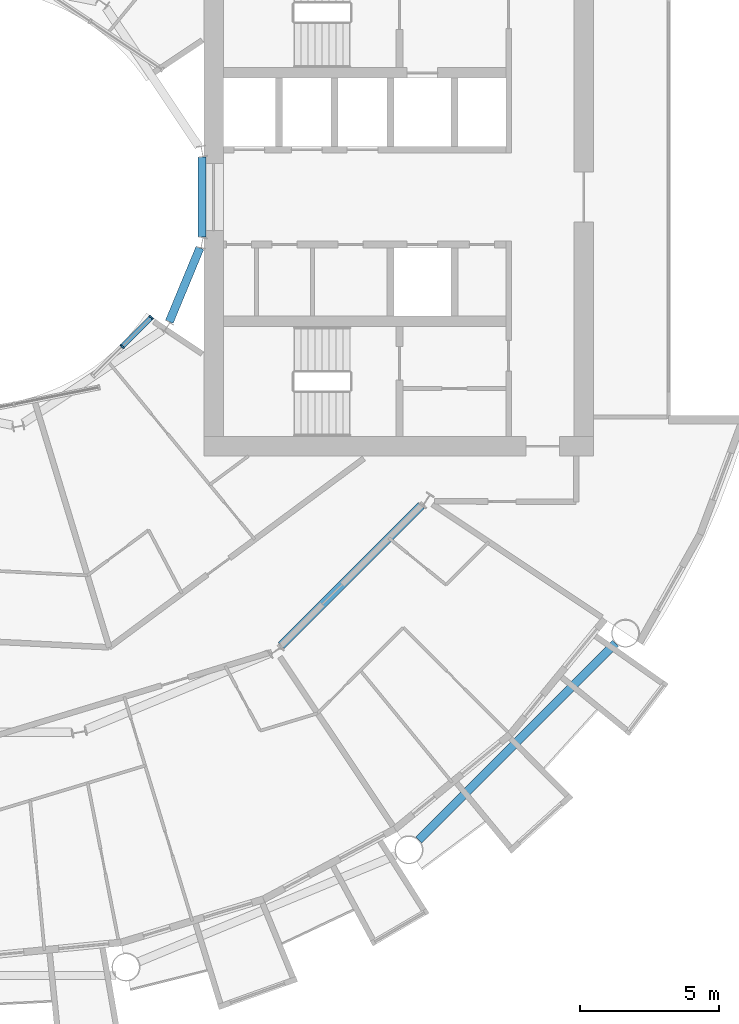
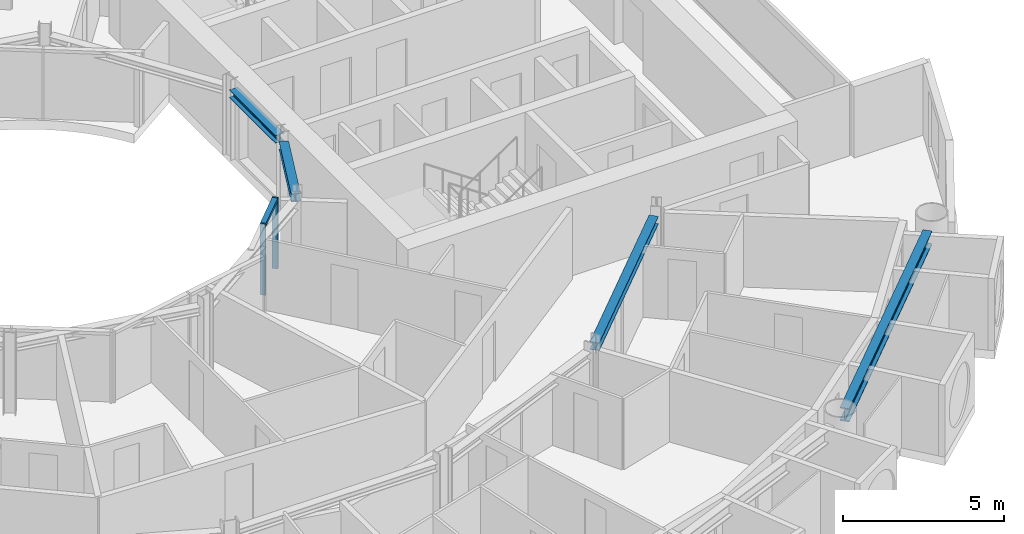
# One storey, part 6 of 26: 4 beams, 3 members, 1 element without a shape of its own.
"""IFC4 building model written with IfcOpenShell, lengths in metres."""

from ifc_helpers import new_model, si_unit, direction, frame, origin, origin_2d, place, context, subcontext, project, spatial, rectangle, i_section, extrude, material, layer, layer_set, material_profile, profile_set, type_object, element, aggregate, save


model = new_model("IFC4")

# Units and contexts
model_context = context("Model", 3, precision=1e-05, world=origin(), true_north=direction((0.0, 1.0)))
body_context = subcontext(model_context, "Body", "Model", "MODEL_VIEW")
ifc_project = project(units=[si_unit("LENGTHUNIT", "METRE"), si_unit("AREAUNIT", "SQUARE_METRE"), si_unit("VOLUMEUNIT", "CUBIC_METRE"), si_unit("PLANEANGLEUNIT", "RADIAN"), si_unit("MASSUNIT", "GRAM", prefix="KILO")], contexts=[model_context])

# Site, building, storey
site_placement = place(None, origin())
site = spatial("IfcSite", under=ifc_project, at=site_placement, CompositionType="ELEMENT")
building_placement = place(site_placement, origin())
building = spatial("IfcBuilding", under=site, at=building_placement, Name="Maasbend Ring Residences", CompositionType="ELEMENT")
storey_placement = place(building_placement, frame((0.0, 0.0, 69.699951171875)))
storey = spatial("IfcBuildingStorey", under=building, at=storey_placement, Name="L19", CompositionType="ELEMENT", Elevation=69.699951171875)

# Curtain wall, members
ifc_material_1 = material(Name="Aluminium and clear glass", Category="aluminium")
ifc_layer = layer(ifc_material_1, 0.179931640625)
ifc_layer_set = layer_set([ifc_layer], Name="CW-W")
curtain_wall_type = type_object("IfcCurtainWallType", Name="CW-W", PredefinedType="NOTDEFINED", material=ifc_layer_set)
curtain_wall_placement = place(storey_placement, origin())
curtain_wall = element("IfcCurtainWall", 1, at=curtain_wall_placement, inside=storey, type_object=curtain_wall_type, Name="Well curtain wall S3", PredefinedType="NOTDEFINED")
ifc_material_2 = material(Name="Aluminium 6063-T6", Category="aluminium")
ifc_material_profile_1 = material_profile(ifc_material_2, rectangle(XDim=0.179931640625, YDim=0.06005859375, at=origin_2d()), Name="AL 180x60")
ifc_profile_set_1 = profile_set([ifc_material_profile_1], Name="Aluminium 6063-T6")
member_type_1 = type_object("IfcMemberType", Name="CWM-W", PredefinedType="MULLION", material=ifc_profile_set_1)
member_1_placement = place(storey_placement, frame((5.366943359375, -5.366943359375, 0.0), z_axis=(0.0, 0.0, 1.0), x_axis=(-0.707106781187, 0.707106781187, 0.0)))
member_1 = element("IfcMember", 2, at=member_1_placement, type_object=member_type_1, Name="Mullion well face", PredefinedType="MULLION", context=body_context, shape_type="SweptSolid", body=[
    extrude(rectangle(XDim=0.179931640625, YDim=0.06005859375, at=origin_2d()), origin(), (0.0, 0.0, 1.0), 2.699951171875),
])
member_2_placement = place(storey_placement, frame((6.413330078125, -4.320556640625, 0.0), z_axis=(0.0, 0.0, 1.0), x_axis=(-0.707106781187, 0.707106781187, 0.0)))
member_2 = element("IfcMember", 3, at=member_2_placement, type_object=member_type_1, Name="Mullion well face", PredefinedType="MULLION", context=body_context, shape_type="SweptSolid", body=[
    extrude(rectangle(XDim=0.179931640625, YDim=0.06005859375, at=origin_2d()), origin(), (0.0, 0.0, 1.0), 2.699951171875),
])
ifc_material_3 = material(Name="Aluminium 6063-T6", Category="aluminium")
ifc_material_profile_2 = material_profile(ifc_material_3, rectangle(XDim=0.179931640625, YDim=0.1201171875, at=origin_2d()), Name="AL 180x120")
ifc_profile_set_2 = profile_set([ifc_material_profile_2], Name="Aluminium 6063-T6")
member_type_2 = type_object("IfcMemberType", Name="CWT-W", PredefinedType="USERDEFINED", material=ifc_profile_set_2)
member_3_placement = place(storey_placement, frame((5.38818359375, -5.345703125, 2.64013671875), z_axis=(0.707106781187, 0.707106781187, 0.0), x_axis=(-0.707106781187, 0.707106781187, 0.0)))
member_3 = element("IfcMember", 4, at=member_3_placement, type_object=member_type_2, Name="Transom well face", ObjectType="TRANSOM", PredefinedType="USERDEFINED", context=body_context, shape_type="SweptSolid", body=[
    extrude(rectangle(XDim=0.179931640625, YDim=0.1201171875, at=origin_2d()), origin(), (0.0, 0.0, 1.0), 1.419677734375),
])
aggregate(curtain_wall, [member_1, member_2, member_3])

# Beams
ifc_material_4 = material(Name="Steel S355J2", Category="steel")
ifc_material_profile_3 = material_profile(ifc_material_4, i_section(OverallWidth=0.300048828125, OverallDepth=0.300048828125, WebThickness=0.010986328125, FlangeThickness=0.01904296875, FilletRadius=0.027099609375, at=origin_2d()), Name="HEB 300")
ifc_profile_set_3 = profile_set([ifc_material_profile_3], Name="Steel S355J2")
beam_type_1 = type_object("IfcBeamType", Name="Corridor ring beam HEB 300", PredefinedType="BEAM", material=ifc_profile_set_3)
beam_1_placement = place(storey_placement, frame((11.078125, -16.10791015625, 2.550048828125), z_axis=(0.707106781187, 0.707106781187, 0.0), x_axis=(-0.707106781187, 0.707106781187, 0.0)))
element("IfcBeam", 5, at=beam_1_placement, inside=storey, type_object=beam_type_1, Name="Corridor ring beam", PredefinedType="BEAM", context=body_context, shape_type="SweptSolid", body=[
    extrude(i_section(OverallWidth=0.300048828125, OverallDepth=0.300048828125, WebThickness=0.010986328125, FlangeThickness=0.01904296875, FilletRadius=0.027099609375, at=origin_2d()), origin(), (0.0, 0.0, 1.0), 7.11328125),
])
ifc_material_5 = material(Name="Steel S355J2", Category="steel")
ifc_material_profile_4 = material_profile(ifc_material_5, i_section(OverallWidth=0.300048828125, OverallDepth=0.5, WebThickness=0.014404296875, FlangeThickness=0.028076171875, FilletRadius=0.027099609375, at=origin_2d()), Name="HEB 500")
ifc_profile_set_4 = profile_set([ifc_material_profile_4], Name="Steel S355J2")
beam_type_2 = type_object("IfcBeamType", Name="Spandrel ring beam HEB 500", PredefinedType="SPANDREL", material=ifc_profile_set_4)
beam_2_placement = place(storey_placement, frame((16.0263671875, -23.088134765625, 2.449951171875), z_axis=(0.707106781187, 0.707106781187, 0.0), x_axis=(-0.707106781187, 0.707106781187, 0.0)))
element("IfcBeam", 6, at=beam_2_placement, inside=storey, type_object=beam_type_2, Name="Spandrel ring beam", PredefinedType="SPANDREL", context=body_context, shape_type="SweptSolid", body=[
    extrude(i_section(OverallWidth=0.300048828125, OverallDepth=0.5, WebThickness=0.014404296875, FlangeThickness=0.028076171875, FilletRadius=0.027099609375, at=origin_2d()), origin(), (0.0, 0.0, 1.0), 9.98681640625),
])
ifc_material_6 = material(Name="Steel S355J2", Category="steel")
ifc_material_profile_5 = material_profile(ifc_material_6, i_section(OverallWidth=0.300048828125, OverallDepth=0.300048828125, WebThickness=0.010986328125, FlangeThickness=0.01904296875, FilletRadius=0.027099609375, at=origin_2d()), Name="HEB 300")
ifc_profile_set_5 = profile_set([ifc_material_profile_5], Name="Steel S355J2")
beam_type_3 = type_object("IfcBeamType", Name="Well edge beam HEB 300", PredefinedType="BEAM", material=ifc_profile_set_5)
beam_3_placement = place(storey_placement, frame((7.062255859375, -4.478515625, 2.550048828125), z_axis=(0.382729955172, 0.923860260761, 0.0), x_axis=(-0.923860260761, 0.382729955172, 0.0)))
element("IfcBeam", 7, at=beam_3_placement, inside=storey, type_object=beam_type_3, Name="Well edge beam", PredefinedType="BEAM", context=body_context, shape_type="SweptSolid", body=[
    extrude(i_section(OverallWidth=0.300048828125, OverallDepth=0.300048828125, WebThickness=0.010986328125, FlangeThickness=0.01904296875, FilletRadius=0.027099609375, at=origin_2d()), origin(), (0.0, 0.0, 1.0), 2.869873046875),
])
beam_4_placement = place(storey_placement, frame((8.238525390625, -1.434814453125, 2.550048828125), z_axis=(0.0, 1.0, 0.0), x_axis=(-1.0, 0.0, 0.0)))
element("IfcBeam", 8, at=beam_4_placement, inside=storey, type_object=beam_type_3, Name="Well edge beam", PredefinedType="BEAM", context=body_context, shape_type="SweptSolid", body=[
    extrude(i_section(OverallWidth=0.300048828125, OverallDepth=0.300048828125, WebThickness=0.010986328125, FlangeThickness=0.01904296875, FilletRadius=0.027099609375, at=origin_2d()), origin(), (0.0, 0.0, 1.0), 2.86962890625),
])

save(model, "model.ifc")
